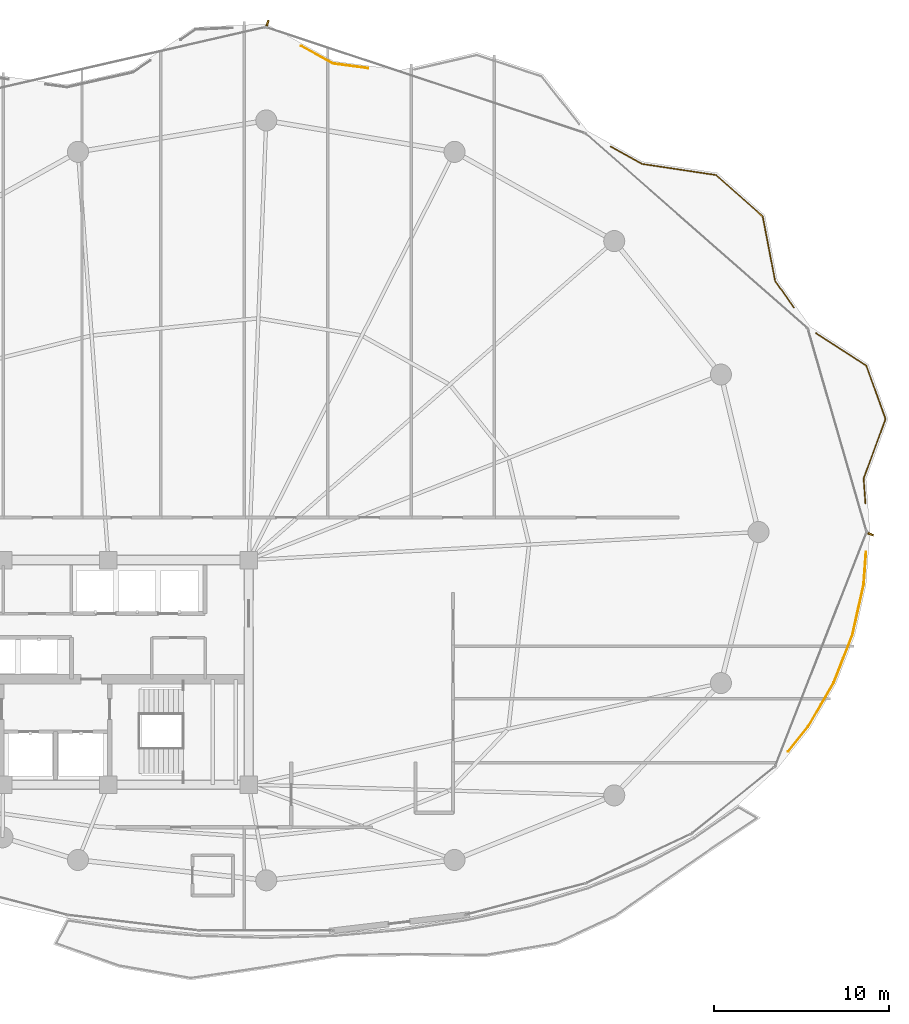
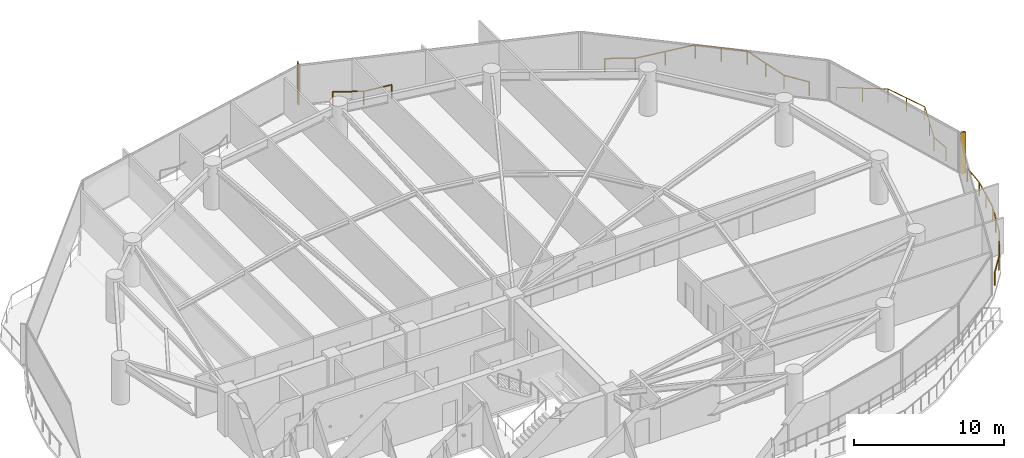
# One storey, part 34 of 34: 4 railings, 2 shading devices.
"""IFC4 building model written with IfcOpenShell, lengths in metres."""

from ifc_helpers import new_model, si_unit, direction, frame, origin, origin_2d, place, context, subcontext, project, spatial, rectangle, extrude, material, type_object, element, save


model = new_model("IFC4")

# Units and contexts
model_context = context("Model", 3, precision=1e-05, world=origin(), true_north=direction((0.0, 1.0)))
body_context = subcontext(model_context, "Body", "Model", "MODEL_VIEW")
ifc_project = project(units=[si_unit("LENGTHUNIT", "METRE"), si_unit("AREAUNIT", "SQUARE_METRE"), si_unit("VOLUMEUNIT", "CUBIC_METRE"), si_unit("PLANEANGLEUNIT", "RADIAN"), si_unit("MASSUNIT", "GRAM", prefix="KILO")], contexts=[model_context])

# Site, building, storey
site_placement = place(None, origin())
site = spatial("IfcSite", under=ifc_project, at=site_placement, CompositionType="ELEMENT")
building_placement = place(site_placement, origin())
building = spatial("IfcBuilding", under=site, at=building_placement, Name="Kazevale Care Tower and Concert Hall", CompositionType="ELEMENT")
storey_placement = place(building_placement, frame((0.0, 0.0, 171.0)))
storey = spatial("IfcBuildingStorey", under=building, at=storey_placement, Name="L45", CompositionType="ELEMENT", Elevation=171.0)

# Railings
ifc_material_1 = material(Name="Anodised Bronze Aluminium and Laminated Glass", Category="aluminium")
railing_type = type_object("IfcRailingType", Name="Balcony and Terrace Balustrade 1120", PredefinedType="BALUSTRADE", material=ifc_material_1)
railing_1_placement = place(storey_placement, frame((46.9970703125, 65.69091796875, 0.0)))
element("IfcRailing", 1, at=railing_1_placement, inside=storey, type_object=railing_type, Name="rail:L45:perim:7", PredefinedType="BALUSTRADE", context=body_context, shape_type="SweptSolid", body=[
    extrude(rectangle(XDim=0.048095703125, YDim=0.048095703125, at=origin_2d()), frame((0.0, 0.0, 1.09619140625), z_axis=(0.87612356574, -0.482086607939, 0.0), x_axis=(0.482086607939, 0.87612356574, 0.0)), (0.0, 0.0, 1.0), 2.065673828125),
    extrude(rectangle(XDim=0.048095703125, YDim=0.048095703125, at=origin_2d()), frame((1.809814453125, -0.995849609375, 1.09619140625), z_axis=(0.991221543474, -0.132211390405, 0.0), x_axis=(0.132211390405, 0.991221543474, 0.0)), (0.0, 0.0, 1.0), 2.0126953125),
    extrude(rectangle(XDim=0.0419921875, YDim=0.0419921875, at=origin_2d()), origin(), (0.0, 0.0, 1.0), 1.072021484375),
    extrude(rectangle(XDim=0.0419921875, YDim=0.0419921875, at=origin_2d()), frame((1.809814453125, -0.995849609375, 0.0)), (0.0, 0.0, 1.0), 1.072021484375),
    extrude(rectangle(XDim=0.0419921875, YDim=0.0419921875, at=origin_2d()), frame((3.804931640625, -1.261962890625, 0.0)), (0.0, 0.0, 1.0), 1.072021484375),
])
railing_2_placement = place(storey_placement, frame((64.614990234375, 59.969970703125, 0.0)))
element("IfcRailing", 2, at=railing_2_placement, inside=storey, type_object=railing_type, Name="rail:L45:perim:9", PredefinedType="BALUSTRADE", context=body_context, shape_type="SweptSolid", body=[
    extrude(rectangle(XDim=0.048095703125, YDim=0.048095703125, at=origin_2d()), frame((0.0, 0.0, 1.09619140625), z_axis=(0.873734672104, -0.486402840003, 0.0), x_axis=(0.486402840003, 0.873734672104, 0.0)), (0.0, 0.0, 1.0), 2.04541015625),
    extrude(rectangle(XDim=0.048095703125, YDim=0.048095703125, at=origin_2d()), frame((1.787109375, -0.994873046875, 1.09619140625), z_axis=(0.988889933801, -0.148649584013, 0.0), x_axis=(0.148649584013, 0.988889933801, 0.0)), (0.0, 0.0, 1.0), 4.28662109375),
    extrude(rectangle(XDim=0.048095703125, YDim=0.048095703125, at=origin_2d()), frame((6.026123046875, -1.632080078125, 1.09619140625), z_axis=(0.746657358329, -0.66520883131, 0.0), x_axis=(0.66520883131, 0.746657358329, 0.0)), (0.0, 0.0, 1.0), 3.549072265625),
    extrude(rectangle(XDim=0.048095703125, YDim=0.048095703125, at=origin_2d()), frame((8.676025390625, -3.992919921875, 1.09619140625), z_axis=(0.188517658656, -0.982069800154, 0.0), x_axis=(0.982069800154, 0.188517658656, 0.0)), (0.0, 0.0, 1.0), 3.73486328125),
    extrude(rectangle(XDim=0.048095703125, YDim=0.048095703125, at=origin_2d()), frame((9.380126953125, -7.660888671875, 1.09619140625), z_axis=(0.575885416581, -0.817530419599, 0.0), x_axis=(0.817530419599, 0.575885416581, 0.0)), (0.0, 0.0, 1.0), 1.850830078125),
    extrude(rectangle(XDim=0.0419921875, YDim=0.0419921875, at=origin_2d()), origin(), (0.0, 0.0, 1.0), 1.072021484375),
    extrude(rectangle(XDim=0.0419921875, YDim=0.0419921875, at=origin_2d()), frame((1.787109375, -0.994873046875, 0.0)), (0.0, 0.0, 1.0), 1.072021484375),
    extrude(rectangle(XDim=0.0419921875, YDim=0.0419921875, at=origin_2d()), frame((3.90673828125, -1.3134765625, 0.0)), (0.0, 0.0, 1.0), 1.072021484375),
    extrude(rectangle(XDim=0.0419921875, YDim=0.0419921875, at=origin_2d()), frame((6.026123046875, -1.632080078125, 0.0)), (0.0, 0.0, 1.0), 1.072021484375),
    extrude(rectangle(XDim=0.0419921875, YDim=0.0419921875, at=origin_2d()), frame((7.35107421875, -2.8125, 0.0)), (0.0, 0.0, 1.0), 1.072021484375),
    extrude(rectangle(XDim=0.0419921875, YDim=0.0419921875, at=origin_2d()), frame((8.676025390625, -3.992919921875, 0.0)), (0.0, 0.0, 1.0), 1.072021484375),
    extrude(rectangle(XDim=0.0419921875, YDim=0.0419921875, at=origin_2d()), frame((9.028076171875, -5.826904296875, 0.0)), (0.0, 0.0, 1.0), 1.072021484375),
    extrude(rectangle(XDim=0.0419921875, YDim=0.0419921875, at=origin_2d()), frame((9.380126953125, -7.660888671875, 0.0)), (0.0, 0.0, 1.0), 1.072021484375),
    extrude(rectangle(XDim=0.0419921875, YDim=0.0419921875, at=origin_2d()), frame((10.446044921875, -9.174072265625, 0.0)), (0.0, 0.0, 1.0), 1.072021484375),
])
railing_3_placement = place(storey_placement, frame((79.176025390625, 36.844970703125, 0.0)))
element("IfcRailing", 3, at=railing_3_placement, inside=storey, type_object=railing_type, Name="rail:L45:perim:10", PredefinedType="BALUSTRADE", context=body_context, shape_type="SweptSolid", body=[
    extrude(rectangle(XDim=0.048095703125, YDim=0.048095703125, at=origin_2d()), frame((0.0, 0.0, 1.09619140625), z_axis=(-0.071578588161, -0.997434963151, 0.0), x_axis=(0.997434963151, -0.071578588161, 0.0)), (0.0, 0.0, 1.0), 1.83154296875),
    extrude(rectangle(XDim=0.048095703125, YDim=0.048095703125, at=origin_2d()), frame((-0.131103515625, -1.826904296875, 1.09619140625), z_axis=(-0.217745961145, -0.9760054797, 0.0), x_axis=(0.9760054797, -0.217745961145, 0.0)), (0.0, 0.0, 1.0), 2.94775390625),
    extrude(rectangle(XDim=0.048095703125, YDim=0.048095703125, at=origin_2d()), frame((-0.77294921875, -4.703857421875, 1.09619140625), z_axis=(-0.363468066155, -0.931606657815, 0.0), x_axis=(0.931606657815, -0.363468066155, 0.0)), (0.0, 0.0, 1.0), 2.91650390625),
    extrude(rectangle(XDim=0.048095703125, YDim=0.048095703125, at=origin_2d()), frame((-1.8330078125, -7.4208984375, 1.09619140625), z_axis=(-0.502610267332, -0.864513111047, 0.0), x_axis=(0.864513111047, -0.502610267332, 0.0)), (0.0, 0.0, 1.0), 2.9150390625),
    extrude(rectangle(XDim=0.048095703125, YDim=0.048095703125, at=origin_2d()), frame((-3.298095703125, -9.94091796875, 1.09619140625), z_axis=(-0.628318296441, -0.777956373043, 0.0), x_axis=(0.777956373043, -0.628318296441, 0.0)), (0.0, 0.0, 1.0), 1.812744140625),
    extrude(rectangle(XDim=0.0419921875, YDim=0.0419921875, at=origin_2d()), origin(), (0.0, 0.0, 1.0), 1.072021484375),
    extrude(rectangle(XDim=0.0419921875, YDim=0.0419921875, at=origin_2d()), frame((-0.131103515625, -1.826904296875, 0.0)), (0.0, 0.0, 1.0), 1.072021484375),
    extrude(rectangle(XDim=0.0419921875, YDim=0.0419921875, at=origin_2d()), frame((-0.4521484375, -3.265380859375, 0.0)), (0.0, 0.0, 1.0), 1.072021484375),
    extrude(rectangle(XDim=0.0419921875, YDim=0.0419921875, at=origin_2d()), frame((-0.77294921875, -4.703857421875, 0.0)), (0.0, 0.0, 1.0), 1.072021484375),
    extrude(rectangle(XDim=0.0419921875, YDim=0.0419921875, at=origin_2d()), frame((-1.302978515625, -6.0625, 0.0)), (0.0, 0.0, 1.0), 1.072021484375),
    extrude(rectangle(XDim=0.0419921875, YDim=0.0419921875, at=origin_2d()), frame((-1.8330078125, -7.4208984375, 0.0)), (0.0, 0.0, 1.0), 1.072021484375),
    extrude(rectangle(XDim=0.0419921875, YDim=0.0419921875, at=origin_2d()), frame((-2.5654296875, -8.680908203125, 0.0)), (0.0, 0.0, 1.0), 1.072021484375),
    extrude(rectangle(XDim=0.0419921875, YDim=0.0419921875, at=origin_2d()), frame((-3.298095703125, -9.94091796875, 0.0)), (0.0, 0.0, 1.0), 1.072021484375),
    extrude(rectangle(XDim=0.0419921875, YDim=0.0419921875, at=origin_2d()), frame((-4.43701171875, -11.35107421875, 0.0)), (0.0, 0.0, 1.0), 1.072021484375),
])
railing_4_placement = place(storey_placement, frame((76.3359375, 49.324951171875, 0.0)))
element("IfcRailing", 4, at=railing_4_placement, inside=storey, type_object=railing_type, Name="rail:L45:perim:11", PredefinedType="BALUSTRADE", context=body_context, shape_type="SweptSolid", body=[
    extrude(rectangle(XDim=0.048095703125, YDim=0.048095703125, at=origin_2d()), frame((0.0, 0.0, 1.09619140625), z_axis=(0.838906479955, -0.544275590018, 0.0), x_axis=(0.544275590018, 0.838906479955, 0.0)), (0.0, 0.0, 1.0), 3.408203125),
    extrude(rectangle(XDim=0.048095703125, YDim=0.048095703125, at=origin_2d()), frame((2.859130859375, -1.85498046875, 1.09619140625), z_axis=(0.340056192401, -0.940405118026, 0.0), x_axis=(0.940405118026, 0.340056192401, 0.0)), (0.0, 0.0, 1.0), 3.219970703125),
    extrude(rectangle(XDim=0.048095703125, YDim=0.048095703125, at=origin_2d()), frame((3.9541015625, -4.883056640625, 1.09619140625), z_axis=(-0.344686514971, -0.938717852391, 0.0), x_axis=(0.938717852391, -0.344686514971, 0.0)), (0.0, 0.0, 1.0), 3.620849609375),
    extrude(rectangle(XDim=0.048095703125, YDim=0.048095703125, at=origin_2d()), frame((2.7060546875, -8.281982421875, 1.09619140625), z_axis=(0.071504807896, -0.997440255077, 0.0), x_axis=(0.997440255077, 0.071504807896, 0.0)), (0.0, 0.0, 1.0), 1.41357421875),
    extrude(rectangle(XDim=0.0419921875, YDim=0.0419921875, at=origin_2d()), origin(), (0.0, 0.0, 1.0), 1.072021484375),
    extrude(rectangle(XDim=0.0419921875, YDim=0.0419921875, at=origin_2d()), frame((1.4296875, -0.927490234375, 0.0)), (0.0, 0.0, 1.0), 1.072021484375),
    extrude(rectangle(XDim=0.0419921875, YDim=0.0419921875, at=origin_2d()), frame((2.859130859375, -1.85498046875, 0.0)), (0.0, 0.0, 1.0), 1.072021484375),
    extrude(rectangle(XDim=0.0419921875, YDim=0.0419921875, at=origin_2d()), frame((3.40673828125, -3.369140625, 0.0)), (0.0, 0.0, 1.0), 1.072021484375),
    extrude(rectangle(XDim=0.0419921875, YDim=0.0419921875, at=origin_2d()), frame((3.9541015625, -4.883056640625, 0.0)), (0.0, 0.0, 1.0), 1.072021484375),
    extrude(rectangle(XDim=0.0419921875, YDim=0.0419921875, at=origin_2d()), frame((3.330078125, -6.58251953125, 0.0)), (0.0, 0.0, 1.0), 1.072021484375),
    extrude(rectangle(XDim=0.0419921875, YDim=0.0419921875, at=origin_2d()), frame((2.7060546875, -8.281982421875, 0.0)), (0.0, 0.0, 1.0), 1.072021484375),
    extrude(rectangle(XDim=0.0419921875, YDim=0.0419921875, at=origin_2d()), frame((2.80712890625, -9.69189453125, 0.0)), (0.0, 0.0, 1.0), 1.072021484375),
])

# Shading devices
ifc_material_2 = material(Name="Anodised Bronze Aluminium", Category="aluminium")
shading_device_type = type_object("IfcShadingDeviceType", Name="Waist Anodised Bronze-Stone Fin FIN-02", PredefinedType="USERDEFINED", material=ifc_material_2)
for number, where, z_axis, x_axis, name in (
    (5, (79.44384765625, 37.869384765625, 0.0), (0.0, 0.0, 1.0), (0.931373876365, -0.364064146031, 0.0), "cw:L45:f01:fin"),
    (6, (45.07666015625, 66.998291015625, 0.0), (0.0, 0.0, 1.0), (0.314820866332, 0.949151106053, 0.0), "cw:L45:f16:fin"),
):
    element("IfcShadingDevice", number, at=place(storey_placement, frame(where, z_axis=z_axis, x_axis=x_axis)), inside=storey, type_object=shading_device_type, Name=name, ObjectType="FIN", PredefinedType="USERDEFINED", context=body_context, shape_type="SweptSolid", body=[
        extrude(rectangle(XDim=0.340087890625, YDim=0.10009765625, at=origin_2d()), origin(), (0.0, 0.0, 1.0), 3.360107421875),
    ])

save(model, "model.ifc")
